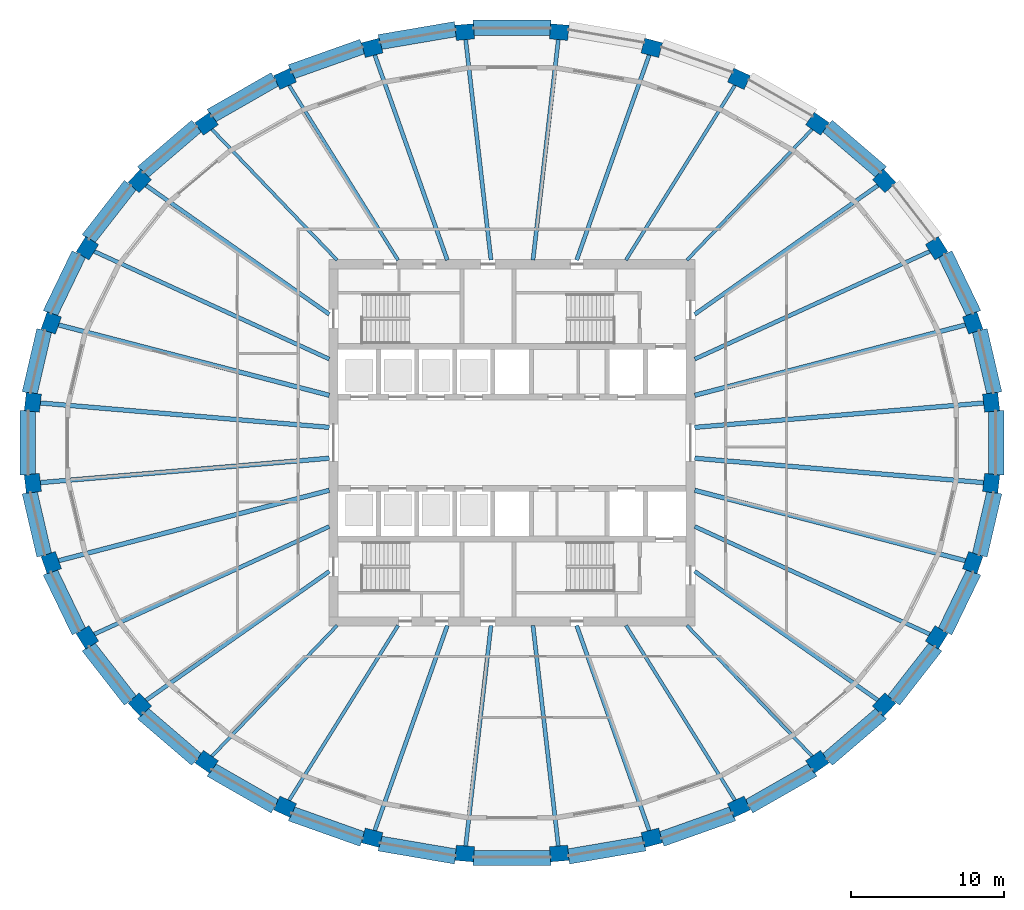
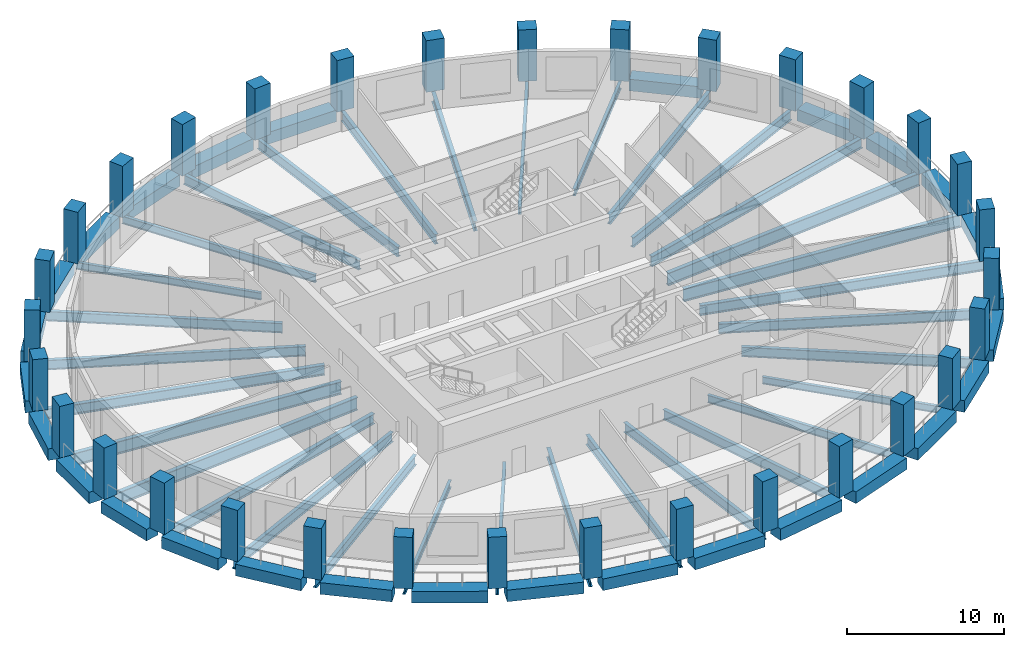
# One storey, part 1 of 11: 60 beams, 32 columns.
"""IFC4 building model written with IfcOpenShell, lengths in metres."""

from ifc_helpers import new_model, si_unit, direction, frame, origin, origin_2d, place, context, subcontext, project, spatial, rectangle, i_section, extrude, material, material_profile, profile_set, type_object, element, save


model = new_model("IFC4")

# Units and contexts
model_context = context("Model", 3, precision=1e-05, world=origin(), true_north=direction((0.0, 1.0)))
body_context = subcontext(model_context, "Body", "Model", "MODEL_VIEW")
ifc_project = project(units=[si_unit("LENGTHUNIT", "METRE"), si_unit("AREAUNIT", "SQUARE_METRE"), si_unit("VOLUMEUNIT", "CUBIC_METRE"), si_unit("PLANEANGLEUNIT", "RADIAN"), si_unit("MASSUNIT", "GRAM", prefix="KILO")], contexts=[model_context])

# Site, building, storey
site_placement = place(None, origin())
site = spatial("IfcSite", under=ifc_project, at=site_placement, CompositionType="ELEMENT")
building_placement = place(site_placement, origin())
building = spatial("IfcBuilding", under=site, at=building_placement, Name="Halqa Exchange Tower", CompositionType="ELEMENT")
storey_placement = place(building_placement, frame((0.0, 0.0, 222.89990234375)))
storey = spatial("IfcBuildingStorey", under=building, at=storey_placement, Name="L51", CompositionType="ELEMENT", Elevation=222.89990234375)

# Columns
ifc_material_1 = material(Name="Concrete C60/75", Category="concrete")
ifc_material_profile_1 = material_profile(ifc_material_1, rectangle(XDim=1.199951171875, YDim=1.0, at=origin_2d()), Name="1200 x 1000")
ifc_profile_set_1 = profile_set([ifc_material_profile_1], Name="Concrete C60/75")
column_type = type_object("IfcColumnType", Name="RC ring column 1200 x 1000 C60/75", PredefinedType="COLUMN", material=ifc_profile_set_1)
for number, where, z_axis, x_axis, name in (
    (1, (31.400634765625, 2.65087890625, 0.0), (0.0, 0.0, 1.0), (-0.114153454138, 0.993463129114, 0.0), "Ring column 1"),
    (2, (30.194091796875, 7.850830078125, 0.0), (0.0, 0.0, 1.0), (-0.333630814899, 0.942703813162, 0.0), "Ring column 2"),
    (3, (27.826904296875, 12.7490234375, 0.0), (0.0, 0.0, 1.0), (-0.529146420131, 0.848530533371, 0.0), "Ring column 3"),
    (4, (24.390380859375, 17.1572265625, 0.0), (0.0, 0.0, 1.0), (-0.691576091297, 0.722303613411, 0.0), "Ring column 4"),
    (5, (20.016845703125, 20.906005859375, 0.0), (0.0, 0.0, 1.0), (-0.817908788019, 0.57534790734, 0.0), "Ring column 5"),
    (6, (14.873779296875, 23.8515625, 0.0), (0.0, 0.0, 1.0), (-0.909128549752, 0.416515641994, 0.0), "Ring column 6"),
    (7, (9.1591796875, 25.880615234375, 0.0), (0.0, 0.0, 1.0), (-0.967818185946, 0.251650469805, 0.0), "Ring column 7"),
    (8, (3.0927734375, 26.914794921875, 0.0), (0.0, 0.0, 1.0), (-0.996454931683, 0.084128289675, 0.0), "Ring column 8"),
    (9, (-3.0927734375, 26.914794921875, 0.0), (0.0, 0.0, 1.0), (-0.996454931683, -0.084128289675, 0.0), "Ring column 9"),
    (10, (-9.1591796875, 25.880615234375, 0.0), (0.0, 0.0, 1.0), (-0.967818185946, -0.251650469805, 0.0), "Ring column 10"),
    (11, (-14.873779296875, 23.8515625, 0.0), (0.0, 0.0, 1.0), (-0.909128549752, -0.416515641994, 0.0), "Ring column 11"),
    (12, (-20.016845703125, 20.906005859375, 0.0), (0.0, 0.0, 1.0), (-0.817908788019, -0.57534790734, 0.0), "Ring column 12"),
    (13, (-24.390380859375, 17.1572265625, 0.0), (0.0, 0.0, 1.0), (-0.691576091297, -0.722303613411, 0.0), "Ring column 13"),
    (14, (-27.826904296875, 12.7490234375, 0.0), (0.0, 0.0, 1.0), (-0.529146420131, -0.848530533371, 0.0), "Ring column 14"),
    (15, (-30.194091796875, 7.850830078125, 0.0), (0.0, 0.0, 1.0), (-0.333630814899, -0.942703813162, 0.0), "Ring column 15"),
    (16, (-31.400634765625, 2.65087890625, 0.0), (0.0, 0.0, 1.0), (-0.114153454138, -0.993463129114, 0.0), "Ring column 16"),
    (17, (-31.400634765625, -2.65087890625, 0.0), (0.0, 0.0, 1.0), (0.114153454138, -0.993463129114, 0.0), "Ring column 17"),
    (18, (-30.194091796875, -7.850830078125, 0.0), (0.0, 0.0, 1.0), (0.333630814899, -0.942703813162, 0.0), "Ring column 18"),
    (19, (-27.826904296875, -12.7490234375, 0.0), (0.0, 0.0, 1.0), (0.529146420131, -0.848530533371, 0.0), "Ring column 19"),
    (20, (-24.390380859375, -17.1572265625, 0.0), (0.0, 0.0, 1.0), (0.691576091297, -0.722303613411, 0.0), "Ring column 20"),
    (21, (-20.016845703125, -20.906005859375, 0.0), (0.0, 0.0, 1.0), (0.817908788019, -0.57534790734, 0.0), "Ring column 21"),
    (22, (-14.873779296875, -23.8515625, 0.0), (0.0, 0.0, 1.0), (0.909128549752, -0.416515641994, 0.0), "Ring column 22"),
    (23, (-9.1591796875, -25.880615234375, 0.0), (0.0, 0.0, 1.0), (0.967818185946, -0.251650469805, 0.0), "Ring column 23"),
    (24, (-3.0927734375, -26.914794921875, 0.0), (0.0, 0.0, 1.0), (0.996454931683, -0.084128289675, 0.0), "Ring column 24"),
    (25, (3.0927734375, -26.914794921875, 0.0), (0.0, 0.0, 1.0), (0.996454931683, 0.084128289675, 0.0), "Ring column 25"),
    (26, (9.1591796875, -25.880615234375, 0.0), (0.0, 0.0, 1.0), (0.967818185946, 0.251650469805, 0.0), "Ring column 26"),
    (27, (14.873779296875, -23.8515625, 0.0), (0.0, 0.0, 1.0), (0.909128549752, 0.416515641994, 0.0), "Ring column 27"),
    (28, (20.016845703125, -20.906005859375, 0.0), (0.0, 0.0, 1.0), (0.817908788019, 0.57534790734, 0.0), "Ring column 28"),
    (29, (24.390380859375, -17.1572265625, 0.0), (0.0, 0.0, 1.0), (0.691576091297, 0.722303613411, 0.0), "Ring column 29"),
    (30, (27.826904296875, -12.7490234375, 0.0), (0.0, 0.0, 1.0), (0.529146420131, 0.848530533371, 0.0), "Ring column 30"),
    (31, (30.194091796875, -7.850830078125, 0.0), (0.0, 0.0, 1.0), (0.333630814899, 0.942703813162, 0.0), "Ring column 31"),
    (32, (31.400634765625, -2.65087890625, 0.0), (0.0, 0.0, 1.0), (0.114153454138, 0.993463129114, 0.0), "Ring column 32"),
):
    element("IfcColumn", number, at=place(storey_placement, frame(where, z_axis=z_axis, x_axis=x_axis)), inside=storey, type_object=column_type, Name=name, PredefinedType="COLUMN", context=body_context, shape_type="SweptSolid", body=[
        extrude(rectangle(XDim=1.199951171875, YDim=1.0, at=origin_2d()), origin(), (0.0, 0.0, 1.0), 4.0),
    ])

# Beams
ifc_material_2 = material(Name="Steel S355", Category="steel")
ifc_material_profile_2 = material_profile(ifc_material_2, i_section(OverallWidth=0.300048828125, OverallDepth=0.989990234375, WebThickness=0.0166015625, FlangeThickness=0.031005859375, FilletRadius=0.030029296875, at=origin_2d()), Name="HEA 1000")
ifc_profile_set_2 = profile_set([ifc_material_profile_2], Name="Steel S355")
beam_type_1 = type_object("IfcBeamType", Name="Floor beam HEA 1000", PredefinedType="BEAM", material=ifc_profile_set_2)
for number, where, z_axis, x_axis, name in (
    (33, (11.972412109375, 1.0107421875, -0.794921875), (0.996456098399, 0.084114469403, 0.0), (-0.084114469403, 0.996456098399, 0.0), "Radial beam 1"),
    (34, (-11.972412109375, 1.0107421875, -0.794921875), (-0.996456098399, 0.084114469403, 0.0), (-0.084114469403, -0.996456098399, 0.0), "Radial beam 16"),
    (35, (-11.972412109375, -1.0107421875, -0.794921875), (-0.996456098399, -0.084114469403, 0.0), (0.084114469403, -0.996456098399, 0.0), "Radial beam 17"),
    (36, (11.972412109375, -1.0107421875, -0.794921875), (0.996456098399, -0.084114469403, 0.0), (0.084114469403, 0.996456098399, 0.0), "Radial beam 32"),
):
    element("IfcBeam", number, at=place(storey_placement, frame(where, z_axis=z_axis, x_axis=x_axis)), inside=storey, type_object=beam_type_1, Name=name, PredefinedType="BEAM", context=body_context, shape_type="SweptSolid", body=[
        extrude(i_section(OverallWidth=0.300048828125, OverallDepth=0.989990234375, WebThickness=0.0166015625, FlangeThickness=0.031005859375, FilletRadius=0.030029296875, at=origin_2d()), origin(), (0.0, 0.0, 1.0), 19.467041015625),
    ])
ifc_material_profile_3 = material_profile(ifc_material_2, i_section(OverallWidth=0.300048828125, OverallDepth=0.7900390625, WebThickness=0.014892578125, FlangeThickness=0.028076171875, FilletRadius=0.030029296875, at=origin_2d()), Name="HEA 800")
ifc_profile_set_3 = profile_set([ifc_material_profile_3], Name="Steel S355")
beam_type_2 = type_object("IfcBeamType", Name="Floor beam HEA 800", PredefinedType="BEAM", material=ifc_profile_set_3)
for number, where, z_axis, x_axis, name in (
    (37, (11.97119140625, 3.11279296875, -0.69482421875), (0.967820861568, 0.251640179449, 0.0), (-0.251640179449, 0.967820861568, 0.0), "Radial beam 2"),
    (38, (-11.97119140625, 3.11279296875, -0.69482421875), (-0.967820861568, 0.251640179449, 0.0), (-0.251640179449, -0.967820861568, 0.0), "Radial beam 15"),
    (39, (-11.97119140625, -3.11279296875, -0.69482421875), (-0.967820861568, -0.251640179449, 0.0), (0.251640179449, -0.967820861568, 0.0), "Radial beam 18"),
    (40, (11.97119140625, -3.11279296875, -0.69482421875), (0.967820861568, -0.251640179449, 0.0), (0.251640179449, 0.967820861568, 0.0), "Radial beam 31"),
):
    element("IfcBeam", number, at=place(storey_placement, frame(where, z_axis=z_axis, x_axis=x_axis)), inside=storey, type_object=beam_type_2, Name=name, PredefinedType="BEAM", context=body_context, shape_type="SweptSolid", body=[
        extrude(i_section(OverallWidth=0.300048828125, OverallDepth=0.7900390625, WebThickness=0.014892578125, FlangeThickness=0.028076171875, FilletRadius=0.030029296875, at=origin_2d()), origin(), (0.0, 0.0, 1.0), 18.792724609375),
    ])
ifc_material_profile_4 = material_profile(ifc_material_2, i_section(OverallWidth=0.2099609375, OverallDepth=0.550048828125, WebThickness=0.010986328125, FlangeThickness=0.01708984375, FilletRadius=0.02392578125, at=origin_2d()), Name="IPE 550")
ifc_profile_set_4 = profile_set([ifc_material_profile_4], Name="Steel S355")
beam_type_3 = type_object("IfcBeamType", Name="Floor beam IPE 550", PredefinedType="BEAM", material=ifc_profile_set_4)
for number, where, z_axis, x_axis, name in (
    (41, (11.462646484375, 11.971923828125, -0.574951171875), (0.691585592551, 0.72229451623, 0.0), (-0.72229451623, 0.691585592551, 0.0), "Radial beam 5"),
    (42, (-11.462646484375, 11.971923828125, -0.574951171875), (-0.691585592551, 0.72229451623, 0.0), (-0.72229451623, -0.691585592551, 0.0), "Radial beam 12"),
    (43, (-11.462646484375, -11.971923828125, -0.574951171875), (-0.691585592551, -0.72229451623, 0.0), (0.72229451623, -0.691585592551, 0.0), "Radial beam 21"),
    (44, (11.462646484375, -11.971923828125, -0.574951171875), (0.691585592551, -0.72229451623, 0.0), (0.72229451623, 0.691585592551, 0.0), "Radial beam 28"),
):
    element("IfcBeam", number, at=place(storey_placement, frame(where, z_axis=z_axis, x_axis=x_axis)), inside=storey, type_object=beam_type_3, Name=name, PredefinedType="BEAM", context=body_context, shape_type="SweptSolid", body=[
        extrude(i_section(OverallWidth=0.2099609375, OverallDepth=0.550048828125, WebThickness=0.010986328125, FlangeThickness=0.01708984375, FilletRadius=0.02392578125, at=origin_2d()), origin(), (0.0, 0.0, 1.0), 12.306884765625),
    ])
ifc_material_profile_5 = material_profile(ifc_material_2, i_section(OverallWidth=0.219970703125, OverallDepth=0.60009765625, WebThickness=0.011962890625, FlangeThickness=0.01904296875, FilletRadius=0.02392578125, at=origin_2d()), Name="IPE 600")
ifc_profile_set_5 = profile_set([ifc_material_profile_5], Name="Steel S355")
beam_type_4 = type_object("IfcBeamType", Name="Floor beam IPE 600", PredefinedType="BEAM", material=ifc_profile_set_5)
for number, where, z_axis, x_axis, name in (
    (45, (7.466064453125, 11.972412109375, -0.599853515625), (0.529138411563, 0.848535527487, 0.0), (-0.848535527487, 0.529138411563, 0.0), "Radial beam 6"),
    (46, (-7.466064453125, 11.972412109375, -0.599853515625), (-0.529138411563, 0.848535527487, 0.0), (-0.848535527487, -0.529138411563, 0.0), "Radial beam 11"),
    (47, (-7.466064453125, -11.972412109375, -0.599853515625), (-0.529138411563, -0.848535527487, 0.0), (0.848535527487, -0.529138411563, 0.0), "Radial beam 22"),
    (48, (7.466064453125, -11.972412109375, -0.599853515625), (0.529138411563, -0.848535527487, 0.0), (0.848535527487, 0.529138411563, 0.0), "Radial beam 27"),
):
    element("IfcBeam", number, at=place(storey_placement, frame(where, z_axis=z_axis, x_axis=x_axis)), inside=storey, type_object=beam_type_4, Name=name, PredefinedType="BEAM", context=body_context, shape_type="SweptSolid", body=[
        extrude(i_section(OverallWidth=0.219970703125, OverallDepth=0.60009765625, WebThickness=0.011962890625, FlangeThickness=0.01904296875, FilletRadius=0.02392578125, at=origin_2d()), origin(), (0.0, 0.0, 1.0), 13.928466796875),
    ])
ifc_material_profile_6 = material_profile(ifc_material_2, i_section(OverallWidth=0.264892578125, OverallDepth=0.7529296875, WebThickness=0.01318359375, FlangeThickness=0.01708984375, FilletRadius=0.01708984375, at=origin_2d()), Name="IPE 750x147")
ifc_profile_set_6 = profile_set([ifc_material_profile_6], Name="Steel S355")
beam_type_5 = type_object("IfcBeamType", Name="Floor beam IPE 750x147", PredefinedType="BEAM", material=ifc_profile_set_6)
beam_1_placement = place(storey_placement, frame((11.972412109375, 5.485107421875, -0.676513671875), z_axis=(0.909123289246, 0.416527123908, 0.0), x_axis=(-0.416527123908, 0.909123289246, 0.0)))
element("IfcBeam", 49, at=beam_1_placement, inside=storey, type_object=beam_type_5, Name="Radial beam 3", PredefinedType="BEAM", context=body_context, shape_type="SweptSolid", body=[
    extrude(i_section(OverallWidth=0.264892578125, OverallDepth=0.7529296875, WebThickness=0.01318359375, FlangeThickness=0.01708984375, FilletRadius=0.01708984375, at=origin_2d()), origin(), (0.0, 0.0, 1.0), 17.395263671875),
])
beam_2_placement = place(storey_placement, frame((11.97216796875, 8.421630859375, -0.676513671875), z_axis=(0.817905412654, 0.575352705696, 0.0), x_axis=(-0.575352705696, 0.817905412654, 0.0)))
element("IfcBeam", 50, at=beam_2_placement, inside=storey, type_object=beam_type_5, Name="Radial beam 4", PredefinedType="BEAM", context=body_context, shape_type="SweptSolid", body=[
    extrude(i_section(OverallWidth=0.264892578125, OverallDepth=0.7529296875, WebThickness=0.01318359375, FlangeThickness=0.01708984375, FilletRadius=0.01708984375, at=origin_2d()), origin(), (0.0, 0.0, 1.0), 15.13037109375),
])
beam_3_placement = place(storey_placement, frame((4.23681640625, 11.9716796875, -0.676513671875), z_axis=(0.333629137418, 0.942704406835, 0.0), x_axis=(-0.942704406835, 0.333629137418, 0.0)))
element("IfcBeam", 51, at=beam_3_placement, inside=storey, type_object=beam_type_5, Name="Radial beam 7", PredefinedType="BEAM", context=body_context, shape_type="SweptSolid", body=[
    extrude(i_section(OverallWidth=0.264892578125, OverallDepth=0.7529296875, WebThickness=0.01318359375, FlangeThickness=0.01708984375, FilletRadius=0.01708984375, at=origin_2d()), origin(), (0.0, 0.0, 1.0), 14.677978515625),
])
for number, where, z_axis, x_axis, name in (
    (52, (1.375732421875, 11.972900390625, -0.676513671875), (0.114155871947, 0.993462851293, 0.0), (-0.993462851293, 0.114155871947, 0.0), "Radial beam 8"),
    (53, (-1.375732421875, 11.972900390625, -0.676513671875), (-0.114155871947, 0.993462851293, 0.0), (-0.993462851293, -0.114155871947, 0.0), "Radial beam 9"),
):
    element("IfcBeam", number, at=place(storey_placement, frame(where, z_axis=z_axis, x_axis=x_axis)), inside=storey, type_object=beam_type_5, Name=name, PredefinedType="BEAM", context=body_context, shape_type="SweptSolid", body=[
        extrude(i_section(OverallWidth=0.264892578125, OverallDepth=0.7529296875, WebThickness=0.01318359375, FlangeThickness=0.01708984375, FilletRadius=0.01708984375, at=origin_2d()), origin(), (0.0, 0.0, 1.0), 14.962158203125),
    ])
beam_4_placement = place(storey_placement, frame((-4.23681640625, 11.9716796875, -0.676513671875), z_axis=(-0.333629137418, 0.942704406835, 0.0), x_axis=(-0.942704406835, -0.333629137418, 0.0)))
element("IfcBeam", 54, at=beam_4_placement, inside=storey, type_object=beam_type_5, Name="Radial beam 10", PredefinedType="BEAM", context=body_context, shape_type="SweptSolid", body=[
    extrude(i_section(OverallWidth=0.264892578125, OverallDepth=0.7529296875, WebThickness=0.01318359375, FlangeThickness=0.01708984375, FilletRadius=0.01708984375, at=origin_2d()), origin(), (0.0, 0.0, 1.0), 14.677978515625),
])
beam_5_placement = place(storey_placement, frame((-11.97216796875, 8.421630859375, -0.676513671875), z_axis=(-0.817905412654, 0.575352705696, 0.0), x_axis=(-0.575352705696, -0.817905412654, 0.0)))
element("IfcBeam", 55, at=beam_5_placement, inside=storey, type_object=beam_type_5, Name="Radial beam 13", PredefinedType="BEAM", context=body_context, shape_type="SweptSolid", body=[
    extrude(i_section(OverallWidth=0.264892578125, OverallDepth=0.7529296875, WebThickness=0.01318359375, FlangeThickness=0.01708984375, FilletRadius=0.01708984375, at=origin_2d()), origin(), (0.0, 0.0, 1.0), 15.13037109375),
])
for number, where, z_axis, x_axis, name in (
    (56, (-11.972412109375, 5.485107421875, -0.676513671875), (-0.909123289246, 0.416527123908, 0.0), (-0.416527123908, -0.909123289246, 0.0), "Radial beam 14"),
    (57, (-11.972412109375, -5.485107421875, -0.676513671875), (-0.909123289246, -0.416527123908, 0.0), (0.416527123908, -0.909123289246, 0.0), "Radial beam 19"),
):
    element("IfcBeam", number, at=place(storey_placement, frame(where, z_axis=z_axis, x_axis=x_axis)), inside=storey, type_object=beam_type_5, Name=name, PredefinedType="BEAM", context=body_context, shape_type="SweptSolid", body=[
        extrude(i_section(OverallWidth=0.264892578125, OverallDepth=0.7529296875, WebThickness=0.01318359375, FlangeThickness=0.01708984375, FilletRadius=0.01708984375, at=origin_2d()), origin(), (0.0, 0.0, 1.0), 17.395263671875),
    ])
beam_6_placement = place(storey_placement, frame((-11.97216796875, -8.421630859375, -0.676513671875), z_axis=(-0.817905412654, -0.575352705696, 0.0), x_axis=(0.575352705696, -0.817905412654, 0.0)))
element("IfcBeam", 58, at=beam_6_placement, inside=storey, type_object=beam_type_5, Name="Radial beam 20", PredefinedType="BEAM", context=body_context, shape_type="SweptSolid", body=[
    extrude(i_section(OverallWidth=0.264892578125, OverallDepth=0.7529296875, WebThickness=0.01318359375, FlangeThickness=0.01708984375, FilletRadius=0.01708984375, at=origin_2d()), origin(), (0.0, 0.0, 1.0), 15.13037109375),
])
beam_7_placement = place(storey_placement, frame((-4.23681640625, -11.9716796875, -0.676513671875), z_axis=(-0.333629137418, -0.942704406835, 0.0), x_axis=(0.942704406835, -0.333629137418, 0.0)))
element("IfcBeam", 59, at=beam_7_placement, inside=storey, type_object=beam_type_5, Name="Radial beam 23", PredefinedType="BEAM", context=body_context, shape_type="SweptSolid", body=[
    extrude(i_section(OverallWidth=0.264892578125, OverallDepth=0.7529296875, WebThickness=0.01318359375, FlangeThickness=0.01708984375, FilletRadius=0.01708984375, at=origin_2d()), origin(), (0.0, 0.0, 1.0), 14.677978515625),
])
for number, where, z_axis, x_axis, name in (
    (60, (-1.375732421875, -11.972900390625, -0.676513671875), (-0.114155871947, -0.993462851293, 0.0), (0.993462851293, -0.114155871947, 0.0), "Radial beam 24"),
    (61, (1.375732421875, -11.972900390625, -0.676513671875), (0.114155871947, -0.993462851293, 0.0), (0.993462851293, 0.114155871947, 0.0), "Radial beam 25"),
):
    element("IfcBeam", number, at=place(storey_placement, frame(where, z_axis=z_axis, x_axis=x_axis)), inside=storey, type_object=beam_type_5, Name=name, PredefinedType="BEAM", context=body_context, shape_type="SweptSolid", body=[
        extrude(i_section(OverallWidth=0.264892578125, OverallDepth=0.7529296875, WebThickness=0.01318359375, FlangeThickness=0.01708984375, FilletRadius=0.01708984375, at=origin_2d()), origin(), (0.0, 0.0, 1.0), 14.962158203125),
    ])
beam_8_placement = place(storey_placement, frame((4.23681640625, -11.9716796875, -0.676513671875), z_axis=(0.333629137418, -0.942704406835, 0.0), x_axis=(0.942704406835, 0.333629137418, 0.0)))
element("IfcBeam", 62, at=beam_8_placement, inside=storey, type_object=beam_type_5, Name="Radial beam 26", PredefinedType="BEAM", context=body_context, shape_type="SweptSolid", body=[
    extrude(i_section(OverallWidth=0.264892578125, OverallDepth=0.7529296875, WebThickness=0.01318359375, FlangeThickness=0.01708984375, FilletRadius=0.01708984375, at=origin_2d()), origin(), (0.0, 0.0, 1.0), 14.677978515625),
])
beam_9_placement = place(storey_placement, frame((11.97216796875, -8.421630859375, -0.676513671875), z_axis=(0.817905412654, -0.575352705696, 0.0), x_axis=(0.575352705696, 0.817905412654, 0.0)))
element("IfcBeam", 63, at=beam_9_placement, inside=storey, type_object=beam_type_5, Name="Radial beam 29", PredefinedType="BEAM", context=body_context, shape_type="SweptSolid", body=[
    extrude(i_section(OverallWidth=0.264892578125, OverallDepth=0.7529296875, WebThickness=0.01318359375, FlangeThickness=0.01708984375, FilletRadius=0.01708984375, at=origin_2d()), origin(), (0.0, 0.0, 1.0), 15.13037109375),
])
beam_10_placement = place(storey_placement, frame((11.972412109375, -5.485107421875, -0.676513671875), z_axis=(0.909123289246, -0.416527123908, 0.0), x_axis=(0.416527123908, 0.909123289246, 0.0)))
element("IfcBeam", 64, at=beam_10_placement, inside=storey, type_object=beam_type_5, Name="Radial beam 30", PredefinedType="BEAM", context=body_context, shape_type="SweptSolid", body=[
    extrude(i_section(OverallWidth=0.264892578125, OverallDepth=0.7529296875, WebThickness=0.01318359375, FlangeThickness=0.01708984375, FilletRadius=0.01708984375, at=origin_2d()), origin(), (0.0, 0.0, 1.0), 17.395263671875),
])
ifc_material_profile_7 = material_profile(ifc_material_1, rectangle(XDim=1.0, YDim=0.89990234375, at=origin_2d()), Name="1000 x 900")
ifc_profile_set_7 = profile_set([ifc_material_profile_7], Name="Concrete C60/75")
beam_type_6 = type_object("IfcBeamType", Name="RC spandrel beam 1000 x 900 C60/75", PredefinedType="SPANDREL", material=ifc_profile_set_7)
beam_11_placement = place(storey_placement, frame((31.61083984375, 3.240966796875, -0.449951171875), z_axis=(-0.226081944546, 0.974108286768, 0.0), x_axis=(-0.974108286768, -0.226081944546, 0.0)))
element("IfcBeam", 65, at=beam_11_placement, inside=storey, type_object=beam_type_6, Name="Spandrel 1", PredefinedType="SPANDREL", context=body_context, shape_type="SweptSolid", body=[
    extrude(rectangle(XDim=1.0, YDim=0.89990234375, at=origin_2d()), origin(), (0.0, 0.0, 1.0), 4.243896484375),
])
beam_12_placement = place(storey_placement, frame((30.271240234375, 8.453369140625, -0.449951171875), z_axis=(-0.435091293077, 0.900386343015, 0.0), x_axis=(-0.900386343015, -0.435091293077, 0.0)))
element("IfcBeam", 66, at=beam_12_placement, inside=storey, type_object=beam_type_6, Name="Spandrel 2", PredefinedType="SPANDREL", context=body_context, shape_type="SweptSolid", body=[
    extrude(rectangle(XDim=1.0, YDim=0.89990234375, at=origin_2d()), origin(), (0.0, 0.0, 1.0), 4.3486328125),
])
beam_13_placement = place(storey_placement, frame((24.21923828125, 17.716552734375, -0.449951171875), z_axis=(-0.759260288888, 0.650787072488, 0.0), x_axis=(-0.650787072488, -0.759260288888, 0.0)))
element("IfcBeam", 67, at=beam_13_placement, inside=storey, type_object=beam_type_6, Name="Spandrel 4", PredefinedType="SPANDREL", context=body_context, shape_type="SweptSolid", body=[
    extrude(rectangle(XDim=1.0, YDim=0.89990234375, at=origin_2d()), origin(), (0.0, 0.0, 1.0), 4.6748046875),
])
beam_14_placement = place(storey_placement, frame((2.552734375, 27.206787109375, -0.449951171875), z_axis=(-1.0, 0.0, 0.0), x_axis=(0.0, -1.0, 0.0)))
element("IfcBeam", 68, at=beam_14_placement, inside=storey, type_object=beam_type_6, Name="Spandrel 8", PredefinedType="SPANDREL", context=body_context, shape_type="SweptSolid", body=[
    extrude(rectangle(XDim=1.0, YDim=0.89990234375, at=origin_2d()), origin(), (0.0, 0.0, 1.0), 5.10546875),
])
beam_15_placement = place(storey_placement, frame((-3.69189453125, 27.1103515625, -0.449951171875), z_axis=(-0.985769121581, -0.168104845076, 0.0), x_axis=(0.168104845076, -0.985769121581, 0.0)))
element("IfcBeam", 69, at=beam_15_placement, inside=storey, type_object=beam_type_6, Name="Spandrel 9", PredefinedType="SPANDREL", context=body_context, shape_type="SweptSolid", body=[
    extrude(rectangle(XDim=1.0, YDim=0.89990234375, at=origin_2d()), origin(), (0.0, 0.0, 1.0), 5.072998046875),
])
beam_16_placement = place(storey_placement, frame((-9.800048828125, 25.96875, -0.449951171875), z_axis=(-0.942368939802, -0.334575524054, 0.0), x_axis=(0.334575524054, -0.942368939802, 0.0)))
element("IfcBeam", 70, at=beam_16_placement, inside=storey, type_object=beam_type_6, Name="Spandrel 10", PredefinedType="SPANDREL", context=body_context, shape_type="SweptSolid", body=[
    extrude(rectangle(XDim=1.0, YDim=0.89990234375, at=origin_2d()), origin(), (0.0, 0.0, 1.0), 4.981689453125),
])
beam_17_placement = place(storey_placement, frame((-15.533447265625, 23.82470703125, -0.449951171875), z_axis=(-0.867767943929, -0.49696961224, 0.0), x_axis=(0.49696961224, -0.867767943929, 0.0)))
element("IfcBeam", 71, at=beam_17_placement, inside=storey, type_object=beam_type_6, Name="Spandrel 11", PredefinedType="SPANDREL", context=body_context, shape_type="SweptSolid", body=[
    extrude(rectangle(XDim=1.0, YDim=0.89990234375, at=origin_2d()), origin(), (0.0, 0.0, 1.0), 4.84130859375),
])
beam_18_placement = place(storey_placement, frame((-20.669921875, 20.7587890625, -0.449951171875), z_axis=(-0.759260288888, -0.650787072488, 0.0), x_axis=(0.650787072488, -0.759260288888, 0.0)))
element("IfcBeam", 72, at=beam_18_placement, inside=storey, type_object=beam_type_6, Name="Spandrel 12", PredefinedType="SPANDREL", context=body_context, shape_type="SweptSolid", body=[
    extrude(rectangle(XDim=1.0, YDim=0.89990234375, at=origin_2d()), origin(), (0.0, 0.0, 1.0), 4.6748046875),
])
beam_19_placement = place(storey_placement, frame((-25.008544921875, 16.8896484375, -0.449951171875), z_axis=(-0.614807814893, -0.788676962226, 0.0), x_axis=(0.788676962226, -0.614807814893, 0.0)))
element("IfcBeam", 73, at=beam_19_placement, inside=storey, type_object=beam_type_6, Name="Spandrel 13", PredefinedType="SPANDREL", context=body_context, shape_type="SweptSolid", body=[
    extrude(rectangle(XDim=1.0, YDim=0.89990234375, at=origin_2d()), origin(), (0.0, 0.0, 1.0), 4.500244140625),
])
beam_20_placement = place(storey_placement, frame((-28.379150390625, 12.368896484375, -0.449951171875), z_axis=(-0.435091293077, -0.900386343015, 0.0), x_axis=(0.900386343015, -0.435091293077, 0.0)))
element("IfcBeam", 74, at=beam_20_placement, inside=storey, type_object=beam_type_6, Name="Spandrel 14", PredefinedType="SPANDREL", context=body_context, shape_type="SweptSolid", body=[
    extrude(rectangle(XDim=1.0, YDim=0.89990234375, at=origin_2d()), origin(), (0.0, 0.0, 1.0), 4.3486328125),
])
beam_21_placement = place(storey_placement, frame((-30.6513671875, 7.375, -0.449951171875), z_axis=(-0.226081944546, -0.974108286768, 0.0), x_axis=(0.974108286768, -0.226081944546, 0.0)))
element("IfcBeam", 75, at=beam_21_placement, inside=storey, type_object=beam_type_6, Name="Spandrel 15", PredefinedType="SPANDREL", context=body_context, shape_type="SweptSolid", body=[
    extrude(rectangle(XDim=1.0, YDim=0.89990234375, at=origin_2d()), origin(), (0.0, 0.0, 1.0), 4.243896484375),
])
beam_22_placement = place(storey_placement, frame((-31.7412109375, 2.102783203125, -0.449951171875), z_axis=(0.0, -1.0, 0.0), x_axis=(1.0, 0.0, 0.0)))
element("IfcBeam", 76, at=beam_22_placement, inside=storey, type_object=beam_type_6, Name="Spandrel 16", PredefinedType="SPANDREL", context=body_context, shape_type="SweptSolid", body=[
    extrude(rectangle(XDim=1.0, YDim=0.89990234375, at=origin_2d()), origin(), (0.0, 0.0, 1.0), 4.20556640625),
])
beam_23_placement = place(storey_placement, frame((-31.61083984375, -3.240966796875, -0.449951171875), z_axis=(0.226081944546, -0.974108286768, 0.0), x_axis=(0.974108286768, 0.226081944546, 0.0)))
element("IfcBeam", 77, at=beam_23_placement, inside=storey, type_object=beam_type_6, Name="Spandrel 17", PredefinedType="SPANDREL", context=body_context, shape_type="SweptSolid", body=[
    extrude(rectangle(XDim=1.0, YDim=0.89990234375, at=origin_2d()), origin(), (0.0, 0.0, 1.0), 4.243896484375),
])
beam_24_placement = place(storey_placement, frame((-30.271240234375, -8.453369140625, -0.449951171875), z_axis=(0.435091293077, -0.900386343015, 0.0), x_axis=(0.900386343015, 0.435091293077, 0.0)))
element("IfcBeam", 78, at=beam_24_placement, inside=storey, type_object=beam_type_6, Name="Spandrel 18", PredefinedType="SPANDREL", context=body_context, shape_type="SweptSolid", body=[
    extrude(rectangle(XDim=1.0, YDim=0.89990234375, at=origin_2d()), origin(), (0.0, 0.0, 1.0), 4.3486328125),
])
beam_25_placement = place(storey_placement, frame((-27.775390625, -13.34033203125, -0.449951171875), z_axis=(0.614807814893, -0.788676962226, 0.0), x_axis=(0.788676962226, 0.614807814893, 0.0)))
element("IfcBeam", 79, at=beam_25_placement, inside=storey, type_object=beam_type_6, Name="Spandrel 19", PredefinedType="SPANDREL", context=body_context, shape_type="SweptSolid", body=[
    extrude(rectangle(XDim=1.0, YDim=0.89990234375, at=origin_2d()), origin(), (0.0, 0.0, 1.0), 4.500244140625),
])
beam_26_placement = place(storey_placement, frame((-24.21923828125, -17.716552734375, -0.449951171875), z_axis=(0.759260288888, -0.650787072488, 0.0), x_axis=(0.650787072488, 0.759260288888, 0.0)))
element("IfcBeam", 80, at=beam_26_placement, inside=storey, type_object=beam_type_6, Name="Spandrel 20", PredefinedType="SPANDREL", context=body_context, shape_type="SweptSolid", body=[
    extrude(rectangle(XDim=1.0, YDim=0.89990234375, at=origin_2d()), origin(), (0.0, 0.0, 1.0), 4.6748046875),
])
beam_27_placement = place(storey_placement, frame((-19.734619140625, -21.418701171875, -0.449951171875), z_axis=(0.867767943929, -0.49696961224, 0.0), x_axis=(0.49696961224, 0.867767943929, 0.0)))
element("IfcBeam", 81, at=beam_27_placement, inside=storey, type_object=beam_type_6, Name="Spandrel 21", PredefinedType="SPANDREL", context=body_context, shape_type="SweptSolid", body=[
    extrude(rectangle(XDim=1.0, YDim=0.89990234375, at=origin_2d()), origin(), (0.0, 0.0, 1.0), 4.84130859375),
])
beam_28_placement = place(storey_placement, frame((-14.49462890625, -24.302001953125, -0.449951171875), z_axis=(0.942368939802, -0.334575524054, 0.0), x_axis=(0.334575524054, 0.942368939802, 0.0)))
element("IfcBeam", 82, at=beam_28_placement, inside=storey, type_object=beam_type_6, Name="Spandrel 22", PredefinedType="SPANDREL", context=body_context, shape_type="SweptSolid", body=[
    extrude(rectangle(XDim=1.0, YDim=0.89990234375, at=origin_2d()), origin(), (0.0, 0.0, 1.0), 4.981689453125),
])
beam_29_placement = place(storey_placement, frame((-8.692626953125, -26.257568359375, -0.449951171875), z_axis=(0.985769121581, -0.168104845076, 0.0), x_axis=(0.168104845076, 0.985769121581, 0.0)))
element("IfcBeam", 83, at=beam_29_placement, inside=storey, type_object=beam_type_6, Name="Spandrel 23", PredefinedType="SPANDREL", context=body_context, shape_type="SweptSolid", body=[
    extrude(rectangle(XDim=1.0, YDim=0.89990234375, at=origin_2d()), origin(), (0.0, 0.0, 1.0), 5.072998046875),
])
beam_30_placement = place(storey_placement, frame((-2.552734375, -27.206787109375, -0.449951171875), z_axis=(1.0, 0.0, 0.0), x_axis=(0.0, 1.0, 0.0)))
element("IfcBeam", 84, at=beam_30_placement, inside=storey, type_object=beam_type_6, Name="Spandrel 24", PredefinedType="SPANDREL", context=body_context, shape_type="SweptSolid", body=[
    extrude(rectangle(XDim=1.0, YDim=0.89990234375, at=origin_2d()), origin(), (0.0, 0.0, 1.0), 5.10546875),
])
beam_31_placement = place(storey_placement, frame((3.69189453125, -27.1103515625, -0.449951171875), z_axis=(0.985769121581, 0.168104845076, 0.0), x_axis=(-0.168104845076, 0.985769121581, 0.0)))
element("IfcBeam", 85, at=beam_31_placement, inside=storey, type_object=beam_type_6, Name="Spandrel 25", PredefinedType="SPANDREL", context=body_context, shape_type="SweptSolid", body=[
    extrude(rectangle(XDim=1.0, YDim=0.89990234375, at=origin_2d()), origin(), (0.0, 0.0, 1.0), 5.072998046875),
])
beam_32_placement = place(storey_placement, frame((9.800048828125, -25.96875, -0.449951171875), z_axis=(0.942368939802, 0.334575524054, 0.0), x_axis=(-0.334575524054, 0.942368939802, 0.0)))
element("IfcBeam", 86, at=beam_32_placement, inside=storey, type_object=beam_type_6, Name="Spandrel 26", PredefinedType="SPANDREL", context=body_context, shape_type="SweptSolid", body=[
    extrude(rectangle(XDim=1.0, YDim=0.89990234375, at=origin_2d()), origin(), (0.0, 0.0, 1.0), 4.981689453125),
])
beam_33_placement = place(storey_placement, frame((15.533447265625, -23.82470703125, -0.449951171875), z_axis=(0.867767943929, 0.49696961224, 0.0), x_axis=(-0.49696961224, 0.867767943929, 0.0)))
element("IfcBeam", 87, at=beam_33_placement, inside=storey, type_object=beam_type_6, Name="Spandrel 27", PredefinedType="SPANDREL", context=body_context, shape_type="SweptSolid", body=[
    extrude(rectangle(XDim=1.0, YDim=0.89990234375, at=origin_2d()), origin(), (0.0, 0.0, 1.0), 4.84130859375),
])
beam_34_placement = place(storey_placement, frame((20.669921875, -20.7587890625, -0.449951171875), z_axis=(0.759260288888, 0.650787072488, 0.0), x_axis=(-0.650787072488, 0.759260288888, 0.0)))
element("IfcBeam", 88, at=beam_34_placement, inside=storey, type_object=beam_type_6, Name="Spandrel 28", PredefinedType="SPANDREL", context=body_context, shape_type="SweptSolid", body=[
    extrude(rectangle(XDim=1.0, YDim=0.89990234375, at=origin_2d()), origin(), (0.0, 0.0, 1.0), 4.6748046875),
])
beam_35_placement = place(storey_placement, frame((25.008544921875, -16.8896484375, -0.449951171875), z_axis=(0.614807814893, 0.788676962226, 0.0), x_axis=(-0.788676962226, 0.614807814893, 0.0)))
element("IfcBeam", 89, at=beam_35_placement, inside=storey, type_object=beam_type_6, Name="Spandrel 29", PredefinedType="SPANDREL", context=body_context, shape_type="SweptSolid", body=[
    extrude(rectangle(XDim=1.0, YDim=0.89990234375, at=origin_2d()), origin(), (0.0, 0.0, 1.0), 4.500244140625),
])
beam_36_placement = place(storey_placement, frame((28.379150390625, -12.368896484375, -0.449951171875), z_axis=(0.435091293077, 0.900386343015, 0.0), x_axis=(-0.900386343015, 0.435091293077, 0.0)))
element("IfcBeam", 90, at=beam_36_placement, inside=storey, type_object=beam_type_6, Name="Spandrel 30", PredefinedType="SPANDREL", context=body_context, shape_type="SweptSolid", body=[
    extrude(rectangle(XDim=1.0, YDim=0.89990234375, at=origin_2d()), origin(), (0.0, 0.0, 1.0), 4.3486328125),
])
beam_37_placement = place(storey_placement, frame((30.6513671875, -7.375, -0.449951171875), z_axis=(0.226081944546, 0.974108286768, 0.0), x_axis=(-0.974108286768, 0.226081944546, 0.0)))
element("IfcBeam", 91, at=beam_37_placement, inside=storey, type_object=beam_type_6, Name="Spandrel 31", PredefinedType="SPANDREL", context=body_context, shape_type="SweptSolid", body=[
    extrude(rectangle(XDim=1.0, YDim=0.89990234375, at=origin_2d()), origin(), (0.0, 0.0, 1.0), 4.243896484375),
])
beam_38_placement = place(storey_placement, frame((31.7412109375, -2.102783203125, -0.449951171875), z_axis=(0.0, 1.0, 0.0), x_axis=(-1.0, 0.0, 0.0)))
element("IfcBeam", 92, at=beam_38_placement, inside=storey, type_object=beam_type_6, Name="Spandrel 32", PredefinedType="SPANDREL", context=body_context, shape_type="SweptSolid", body=[
    extrude(rectangle(XDim=1.0, YDim=0.89990234375, at=origin_2d()), origin(), (0.0, 0.0, 1.0), 4.20556640625),
])

save(model, "model.ifc")
